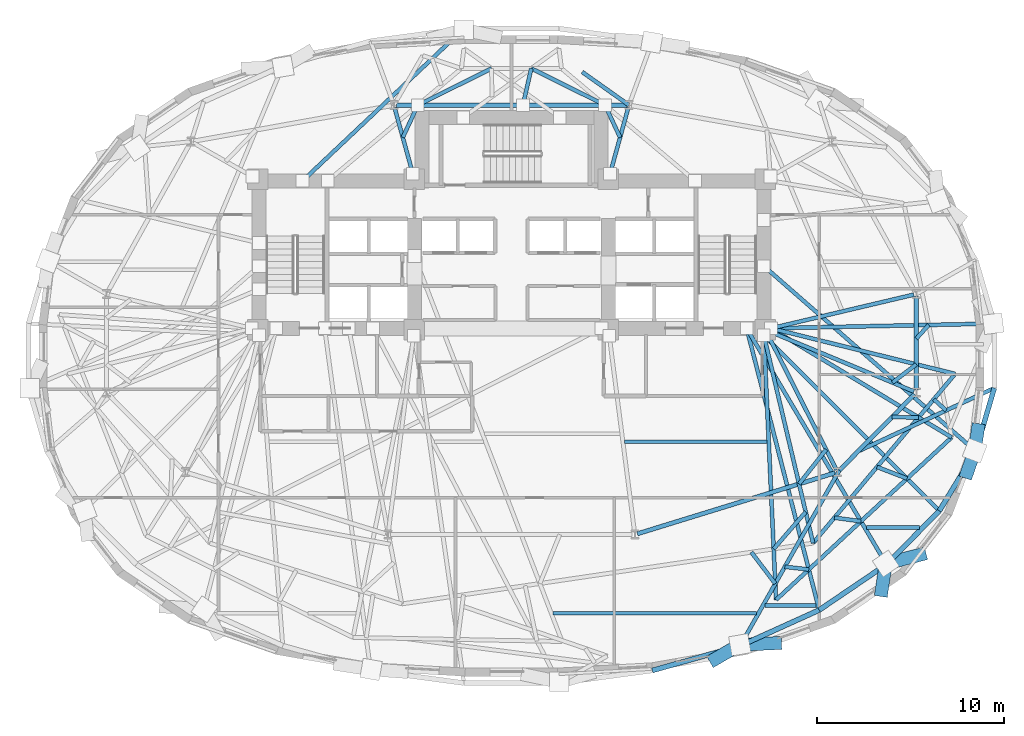
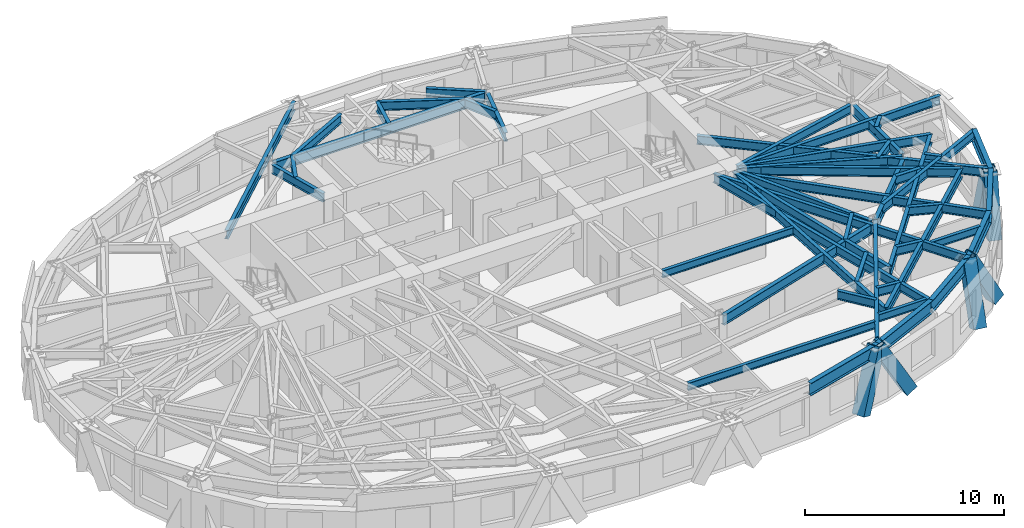
# One storey, part 3 of 13: 49 beams, 6 members.
"""IFC4 building model written with IfcOpenShell, lengths in metres."""

from ifc_helpers import new_model, si_unit, direction, frame, origin, origin_2d, place, context, subcontext, project, spatial, hollow_rectangle, i_section, extrude, material, material_profile, profile_set, type_object, element, save


model = new_model("IFC4")

# Units and contexts
model_context = context("Model", 3, precision=1e-05, world=origin(), true_north=direction((0.0, 1.0)))
body_context = subcontext(model_context, "Body", "Model", "MODEL_VIEW")
ifc_project = project(units=[si_unit("LENGTHUNIT", "METRE"), si_unit("AREAUNIT", "SQUARE_METRE"), si_unit("VOLUMEUNIT", "CUBIC_METRE"), si_unit("PLANEANGLEUNIT", "RADIAN"), si_unit("MASSUNIT", "GRAM", prefix="KILO")], contexts=[model_context])

# Site, building, storey
site_placement = place(None, origin())
site = spatial("IfcSite", under=ifc_project, at=site_placement, CompositionType="ELEMENT")
building_placement = place(site_placement, origin())
building = spatial("IfcBuilding", under=site, at=building_placement, Name="Keldmark Tower", CompositionType="ELEMENT")
storey_placement = place(building_placement, frame((0.0, 0.0, 131.60009765625)))
storey = spatial("IfcBuildingStorey", under=building, at=storey_placement, Name="L35", CompositionType="ELEMENT", Elevation=131.60009765625)

# Beams
ifc_material_1 = material(Name="Steel ASTM A992 Grade 50", Category="steel")
ifc_material_profile_1 = material_profile(ifc_material_1, i_section(OverallWidth=0.19091796875, OverallDepth=0.45703125, WebThickness=0.009033203125, FlangeThickness=0.014404296875, at=origin_2d()), Name="W18X50")
ifc_profile_set_1 = profile_set([ifc_material_profile_1], Name="Steel ASTM A992 Grade 50")
beam_type_1 = type_object("IfcBeamType", Name="Composite Floor Joist W18X50", PredefinedType="JOIST", material=ifc_profile_set_1)
beam_1_placement = place(storey_placement, frame((2.239501953125, -13.800048828125, 3.031494140625), z_axis=(1.0, 0.0, 0.0), x_axis=(0.0, 1.0, 0.0)))
element("IfcBeam", 1, at=beam_1_placement, inside=storey, type_object=beam_type_1, Name="L35 Composite Floor Joist J03", PredefinedType="JOIST", context=body_context, shape_type="SweptSolid", body=[
    extrude(i_section(OverallWidth=0.19091796875, OverallDepth=0.45703125, WebThickness=0.009033203125, FlangeThickness=0.014404296875, at=origin_2d()), origin(), (0.0, 0.0, 1.0), 10.88916015625),
])
beam_2_placement = place(storey_placement, frame((13.588134765625, -13.3798828125, 3.031494140625), z_axis=(1.0, 0.0, 0.0), x_axis=(0.0, 1.0, 0.0)))
element("IfcBeam", 2, at=beam_2_placement, inside=storey, type_object=beam_type_1, Name="L35 Composite Floor Joist J04", PredefinedType="JOIST", context=body_context, shape_type="SweptSolid", body=[
    extrude(i_section(OverallWidth=0.19091796875, OverallDepth=0.45703125, WebThickness=0.009033203125, FlangeThickness=0.014404296875, at=origin_2d()), origin(), (0.0, 0.0, 1.0), 2.744873046875),
])
beam_3_placement = place(storey_placement, frame((19.0390625, -9.199951171875, 3.031494140625), z_axis=(1.0, 0.0, 0.0), x_axis=(0.0, 1.0, 0.0)))
element("IfcBeam", 3, at=beam_3_placement, inside=storey, type_object=beam_type_1, Name="L35 Composite Floor Joist J05", PredefinedType="JOIST", context=body_context, shape_type="SweptSolid", body=[
    extrude(i_section(OverallWidth=0.19091796875, OverallDepth=0.45703125, WebThickness=0.009033203125, FlangeThickness=0.014404296875, at=origin_2d()), origin(), (0.0, 0.0, 1.0), 2.83203125),
])
beam_4_placement = place(storey_placement, frame((6.06884765625, -4.60009765625, 3.031494140625), z_axis=(1.0, 0.0, 0.0), x_axis=(0.0, 1.0, 0.0)))
element("IfcBeam", 4, at=beam_4_placement, inside=storey, type_object=beam_type_1, Name="L35 Composite Floor Joist J09", PredefinedType="JOIST", context=body_context, shape_type="SweptSolid", body=[
    extrude(i_section(OverallWidth=0.19091796875, OverallDepth=0.45703125, WebThickness=0.009033203125, FlangeThickness=0.014404296875, at=origin_2d()), origin(), (0.0, 0.0, 1.0), 7.62255859375),
])

# Members
ifc_material_2 = material(Name="Steel ASTM A572 Grade 50", Category="steel")
ifc_material_profile_2 = material_profile(ifc_material_2, hollow_rectangle(XDim=0.699951171875, YDim=0.699951171875, WallThickness=0.044921875, at=origin_2d()), Name="BOX700X700X45")
ifc_profile_set_2 = profile_set([ifc_material_profile_2], Name="Steel ASTM A572 Grade 50")
member_type = type_object("IfcMemberType", Name="Diagrid Zone 2 Brace BOX700X700X45", PredefinedType="BRACE", material=ifc_profile_set_2)
member_1_placement = place(storey_placement, frame((10.9140625, -16.244140625, -0.27001953125), z_axis=(0.354569543412, 0.203908521281, 0.912524933267), x_axis=(-0.49852814405, 0.866873514182, 0.0)))
element("IfcMember", 5, at=member_1_placement, inside=storey, type_object=member_type, Name="L35 Perimeter Diagrid Brace 13B", PredefinedType="BRACE", context=body_context, shape_type="SweptSolid", body=[
    extrude(hollow_rectangle(XDim=0.699951171875, YDim=0.699951171875, WallThickness=0.044921875, at=origin_2d()), origin(), (0.0, 0.0, 1.0), 3.73681640625),
])
member_2_placement = place(storey_placement, frame((14.16796875, -15.39697265625, -0.27001953125), z_axis=(-0.494360479109, -0.022832909116, 0.86895706163), x_axis=(0.046137576123, -0.998935095023, 0.0)))
element("IfcMember", 6, at=member_2_placement, inside=storey, type_object=member_type, Name="L35 Perimeter Diagrid Brace 14A", PredefinedType="BRACE", context=body_context, shape_type="SweptSolid", body=[
    extrude(hollow_rectangle(XDim=0.699951171875, YDim=0.699951171875, WallThickness=0.044921875, at=origin_2d()), origin(), (0.0, 0.0, 1.0), 3.924072265625),
])
member_3_placement = place(storey_placement, frame((19.839599609375, -12.574462890625, -0.27001953125), z_axis=(0.059501710363, 0.388999013546, 0.919314589204), x_axis=(-0.988502815253, 0.151202461081, 0.0)))
element("IfcMember", 7, at=member_3_placement, inside=storey, type_object=member_type, Name="L35 Perimeter Diagrid Brace 14B", PredefinedType="BRACE", context=body_context, shape_type="SweptSolid", body=[
    extrude(hollow_rectangle(XDim=0.699951171875, YDim=0.699951171875, WallThickness=0.044921875, at=origin_2d()), origin(), (0.0, 0.0, 1.0), 3.709228515625),
])
member_4_placement = place(storey_placement, frame((21.91748046875, -10.656494140625, -0.27001953125), z_axis=(-0.476278307764, -0.123417229338, 0.870590122306), x_axis=(0.250843447389, -0.968027667426, 0.0)))
element("IfcMember", 8, at=member_4_placement, inside=storey, type_object=member_type, Name="L35 Perimeter Diagrid Brace 15A", PredefinedType="BRACE", context=body_context, shape_type="SweptSolid", body=[
    extrude(hollow_rectangle(XDim=0.699951171875, YDim=0.699951171875, WallThickness=0.044921875, at=origin_2d()), origin(), (0.0, 0.0, 1.0), 3.916748046875),
])
member_5_placement = place(storey_placement, frame((24.4228515625, -6.2392578125, -0.27001953125), z_axis=(0.111684456383, 0.318270369969, 0.941398190885), x_axis=(-0.943590124458, 0.331115806063, 0.0)))
element("IfcMember", 9, at=member_5_placement, inside=storey, type_object=member_type, Name="L35 Perimeter Diagrid Brace 15B", PredefinedType="BRACE", context=body_context, shape_type="SweptSolid", body=[
    extrude(hollow_rectangle(XDim=0.699951171875, YDim=0.699951171875, WallThickness=0.044921875, at=origin_2d()), origin(), (0.0, 0.0, 1.0), 3.6220703125),
])
member_6_placement = place(storey_placement, frame((24.991455078125, -3.9619140625, -0.27001953125), z_axis=(-0.046820299466, -0.315595960606, 0.947737858908), x_axis=(0.989173752525, -0.146749062404, 0.0)))
element("IfcMember", 10, at=member_6_placement, inside=storey, type_object=member_type, Name="L35 Perimeter Diagrid Brace 16A", PredefinedType="BRACE", context=body_context, shape_type="SweptSolid", body=[
    extrude(hollow_rectangle(XDim=0.699951171875, YDim=0.699951171875, WallThickness=0.044921875, at=origin_2d()), origin(), (0.0, 0.0, 1.0), 3.597900390625),
])

# Beams
ifc_material_3 = material(Name="Steel ASTM A992 Grade 50", Category="steel")
ifc_material_profile_3 = material_profile(ifc_material_3, i_section(OverallWidth=0.22900390625, OverallDepth=0.612060546875, WebThickness=0.011962890625, FlangeThickness=0.01953125, at=origin_2d()), Name="W24X84")
ifc_profile_set_3 = profile_set([ifc_material_profile_3], Name="Steel ASTM A992 Grade 50")
beam_type_2 = type_object("IfcBeamType", Name="Primary Floor Girder W24X84", PredefinedType="BEAM", material=ifc_profile_set_3)
beam_5_placement = place(storey_placement, frame((6.15869140625, 13.4326171875, 2.953857421875), z_axis=(-1.0, 0.0, 0.0), x_axis=(0.0, -1.0, 0.0)))
element("IfcBeam", 11, at=beam_5_placement, inside=storey, type_object=beam_type_2, Name="L35 Floor Ring Girder FG-R03", PredefinedType="BEAM", context=body_context, shape_type="SweptSolid", body=[
    extrude(i_section(OverallWidth=0.22900390625, OverallDepth=0.612060546875, WebThickness=0.011962890625, FlangeThickness=0.01953125, at=origin_2d()), origin(), (0.0, 0.0, 1.0), 12.3173828125),
])
beam_6_placement = place(storey_placement, frame((6.74658203125, -9.5380859375, 2.953857421875), z_axis=(0.955607954968, 0.294641199432, 0.0), x_axis=(-0.294641199432, 0.955607954968, 0.0)))
element("IfcBeam", 12, at=beam_6_placement, inside=storey, type_object=beam_type_2, Name="L35 Floor Ring Girder FG-R10", PredefinedType="BEAM", context=body_context, shape_type="SweptSolid", body=[
    extrude(i_section(OverallWidth=0.22900390625, OverallDepth=0.612060546875, WebThickness=0.011962890625, FlangeThickness=0.01953125, at=origin_2d()), origin(), (0.0, 0.0, 1.0), 11.089111328125),
])
beam_7_placement = place(storey_placement, frame((17.57568359375, -6.130126953125, 2.953857421875), z_axis=(0.703425791323, 0.71076870788, 0.0), x_axis=(-0.71076870788, 0.703425791323, 0.0)))
element("IfcBeam", 13, at=beam_7_placement, inside=storey, type_object=beam_type_2, Name="L35 Floor Ring Girder FG-R11", PredefinedType="BEAM", context=body_context, shape_type="SweptSolid", body=[
    extrude(i_section(OverallWidth=0.22900390625, OverallDepth=0.612060546875, WebThickness=0.011962890625, FlangeThickness=0.01953125, at=origin_2d()), origin(), (0.0, 0.0, 1.0), 5.71875),
])
beam_8_placement = place(storey_placement, frame((21.697021484375, -1.825927734375, 2.953857421875), z_axis=(0.0, 1.0, 0.0), x_axis=(-1.0, 0.0, 0.0)))
element("IfcBeam", 14, at=beam_8_placement, inside=storey, type_object=beam_type_2, Name="L35 Floor Ring Girder FG-R12", PredefinedType="BEAM", context=body_context, shape_type="SweptSolid", body=[
    extrude(i_section(OverallWidth=0.22900390625, OverallDepth=0.612060546875, WebThickness=0.011962890625, FlangeThickness=0.01953125, at=origin_2d()), origin(), (0.0, 0.0, 1.0), 4.995849609375),
])
ifc_material_4 = material(Name="Steel ASTM A992 Grade 50", Category="steel")
ifc_material_profile_4 = material_profile(ifc_material_4, i_section(OverallWidth=0.2099609375, OverallDepth=0.537109375, WebThickness=0.010986328125, FlangeThickness=0.017333984375, at=origin_2d()), Name="W21X68")
ifc_profile_set_4 = profile_set([ifc_material_profile_4], Name="Steel ASTM A992 Grade 50")
beam_type_3 = type_object("IfcBeamType", Name="Radial Tie Girder W21X68", PredefinedType="BEAM", material=ifc_profile_set_4)
beam_9_placement = place(storey_placement, frame((21.560546875, 3.27783203125, 2.991455078125), z_axis=(-0.973283778272, -0.229605502879, 0.0), x_axis=(0.229605502879, -0.973283778272, 0.0)))
element("IfcBeam", 15, at=beam_9_placement, inside=storey, type_object=beam_type_3, Name="L35 Floor Radial Girder FG-C01", PredefinedType="BEAM", context=body_context, shape_type="SweptSolid", body=[
    extrude(i_section(OverallWidth=0.2099609375, OverallDepth=0.537109375, WebThickness=0.010986328125, FlangeThickness=0.017333984375, at=origin_2d()), origin(), (0.0, 0.0, 1.0), 7.85888671875),
])
for number, where, z_axis, x_axis, name in (
    (16, (6.26171875, 13.297607421875, 2.991455078125), (-0.265997186795, -0.963973804944, 0.0), (0.963973804944, -0.265997186795, 0.0), "L35 Floor Radial Girder FG-C03"),
    (17, (-6.26171875, 13.297607421875, 2.991455078125), (0.265997186795, -0.963973804944, 0.0), (0.963973804944, 0.265997186795, 0.0), "L35 Floor Radial Girder FG-C04"),
):
    element("IfcBeam", number, at=place(storey_placement, frame(where, z_axis=z_axis, x_axis=x_axis)), inside=storey, type_object=beam_type_3, Name=name, PredefinedType="BEAM", context=body_context, shape_type="SweptSolid", body=[
        extrude(i_section(OverallWidth=0.2099609375, OverallDepth=0.537109375, WebThickness=0.010986328125, FlangeThickness=0.017333984375, at=origin_2d()), origin(), (0.0, 0.0, 1.0), 3.67138671875),
    ])
beam_10_placement = place(storey_placement, frame((17.413818359375, -6.104736328125, 2.991455078125), z_axis=(-0.453028637759, 0.891495963743, 0.0), x_axis=(-0.891495963743, -0.453028637759, 0.0)))
element("IfcBeam", 18, at=beam_10_placement, inside=storey, type_object=beam_type_3, Name="L35 Floor Radial Girder FG-C11", PredefinedType="BEAM", context=body_context, shape_type="SweptSolid", body=[
    extrude(i_section(OverallWidth=0.2099609375, OverallDepth=0.537109375, WebThickness=0.010986328125, FlangeThickness=0.017333984375, at=origin_2d()), origin(), (0.0, 0.0, 1.0), 8.09814453125),
])
beam_11_placement = place(storey_placement, frame((21.567626953125, -1.912109375, 2.991455078125), z_axis=(-0.923397393633, 0.383845350932, 0.0), x_axis=(-0.383845350932, -0.923397393633, 0.0)))
element("IfcBeam", 19, at=beam_11_placement, inside=storey, type_object=beam_type_3, Name="L35 Floor Radial Girder FG-C12", PredefinedType="BEAM", context=body_context, shape_type="SweptSolid", body=[
    extrude(i_section(OverallWidth=0.2099609375, OverallDepth=0.537109375, WebThickness=0.010986328125, FlangeThickness=0.017333984375, at=origin_2d()), origin(), (0.0, 0.0, 1.0), 8.30859375),
])
for number, where, z_axis, x_axis, name in (
    (20, (5.822265625, 11.705078125, 2.991455078125), (-0.422871443538, 0.906189683367, 0.0), (-0.906189683367, -0.422871443538, 0.0), "L35 Framing Pin Header PH-001"),
    (21, (-5.822265625, 11.705078125, 2.991455078125), (0.422871443538, 0.906189683367, 0.0), (-0.906189683367, 0.422871443538, 0.0), "L35 Framing Pin Header PH-002"),
):
    element("IfcBeam", number, at=place(storey_placement, frame(where, z_axis=z_axis, x_axis=x_axis)), inside=storey, type_object=beam_type_3, Name=name, PredefinedType="BEAM", context=body_context, shape_type="SweptSolid", body=[
        extrude(i_section(OverallWidth=0.2099609375, OverallDepth=0.537109375, WebThickness=0.010986328125, FlangeThickness=0.017333984375, at=origin_2d()), origin(), (0.0, 0.0, 1.0), 1.906494140625),
    ])
beam_12_placement = place(storey_placement, frame((16.863525390625, -5.02197265625, 2.991455078125), z_axis=(-0.618317676543, -0.785928273365, 0.0), x_axis=(0.785928273365, -0.618317676543, 0.0)))
element("IfcBeam", 22, at=beam_12_placement, inside=storey, type_object=beam_type_3, Name="L35 Framing Pin Header PH-006", PredefinedType="BEAM", context=body_context, shape_type="SweptSolid", body=[
    extrude(i_section(OverallWidth=0.2099609375, OverallDepth=0.537109375, WebThickness=0.010986328125, FlangeThickness=0.017333984375, at=origin_2d()), origin(), (0.0, 0.0, 1.0), 2.3466796875),
])
beam_13_placement = place(storey_placement, frame((13.52490234375, 1.10009765625, 2.991455078125), z_axis=(0.230570573117, -0.973055605201, 0.0), x_axis=(0.973055605201, 0.230570573117, 0.0)))
element("IfcBeam", 23, at=beam_13_placement, inside=storey, type_object=beam_type_3, Name="L35 Sub-Ring Step Girder STP1-M11", PredefinedType="BEAM", context=body_context, shape_type="SweptSolid", body=[
    extrude(i_section(OverallWidth=0.2099609375, OverallDepth=0.537109375, WebThickness=0.010986328125, FlangeThickness=0.017333984375, at=origin_2d()), origin(), (0.0, 0.0, 1.0), 11.444091796875),
])
beam_14_placement = place(storey_placement, frame((20.416748046875, -1.433837890625, 2.991455078125), z_axis=(0.794658823742, 0.607056302042, 0.0), x_axis=(-0.607056302042, 0.794658823742, 0.0)))
element("IfcBeam", 24, at=beam_14_placement, inside=storey, type_object=beam_type_3, Name="L35 Framing Pin Header PH-007", PredefinedType="BEAM", context=body_context, shape_type="SweptSolid", body=[
    extrude(i_section(OverallWidth=0.2099609375, OverallDepth=0.537109375, WebThickness=0.010986328125, FlangeThickness=0.017333984375, at=origin_2d()), origin(), (0.0, 0.0, 1.0), 1.611083984375),
])
beam_15_placement = place(storey_placement, frame((13.89990234375, 1.47509765625, 2.991455078125), z_axis=(0.970676556141, -0.24038931623, 0.0), x_axis=(0.24038931623, 0.970676556141, 0.0)))
element("IfcBeam", 25, at=beam_15_placement, inside=storey, type_object=beam_type_3, Name="L35 Sub-Ring Step Girder STP1-M12", PredefinedType="BEAM", context=body_context, shape_type="SweptSolid", body=[
    extrude(i_section(OverallWidth=0.2099609375, OverallDepth=0.537109375, WebThickness=0.010986328125, FlangeThickness=0.017333984375, at=origin_2d()), origin(), (0.0, 0.0, 1.0), 10.17333984375),
])
beam_16_placement = place(storey_placement, frame((16.16357421875, -10.03564453125, 2.991455078125), z_axis=(0.643022287084, 0.76584746413, 0.0), x_axis=(-0.76584746413, 0.643022287084, 0.0)))
element("IfcBeam", 26, at=beam_16_placement, inside=storey, type_object=beam_type_3, Name="L35 Perimeter Collector Ring Beam CRG1-M11", PredefinedType="BEAM", context=body_context, shape_type="SweptSolid", body=[
    extrude(i_section(OverallWidth=0.2099609375, OverallDepth=0.537109375, WebThickness=0.010986328125, FlangeThickness=0.017333984375, at=origin_2d()), origin(), (0.0, 0.0, 1.0), 11.8369140625),
])
beam_17_placement = place(storey_placement, frame((15.767578125, -8.365234375, 2.991455078125), z_axis=(-0.654228245998, -0.756297165232, 0.0), x_axis=(0.756297165232, -0.654228245998, 0.0)))
element("IfcBeam", 27, at=beam_17_placement, inside=storey, type_object=beam_type_3, Name="L35 Framing Pin Header PH-013", PredefinedType="BEAM", context=body_context, shape_type="SweptSolid", body=[
    extrude(i_section(OverallWidth=0.2099609375, OverallDepth=0.537109375, WebThickness=0.010986328125, FlangeThickness=0.017333984375, at=origin_2d()), origin(), (0.0, 0.0, 1.0), 2.62158203125),
])
beam_18_placement = place(storey_placement, frame((13.52490234375, 1.10009765625, 2.991455078125), z_axis=(0.046032671476, -0.998939934709, 0.0), x_axis=(0.998939934709, 0.046032671476, 0.0)))
element("IfcBeam", 28, at=beam_18_placement, inside=storey, type_object=beam_type_3, Name="L35 Sub-Ring Step Girder STP2-M11", PredefinedType="BEAM", context=body_context, shape_type="SweptSolid", body=[
    extrude(i_section(OverallWidth=0.2099609375, OverallDepth=0.537109375, WebThickness=0.010986328125, FlangeThickness=0.017333984375, at=origin_2d()), origin(), (0.0, 0.0, 1.0), 14.192626953125),
])
beam_19_placement = place(storey_placement, frame((20.3916015625, -3.284912109375, 2.991455078125), z_axis=(0.999928147427, -0.011987492776, 0.0), x_axis=(0.011987492776, 0.999928147427, 0.0)))
element("IfcBeam", 29, at=beam_19_placement, inside=storey, type_object=beam_type_3, Name="L35 Framing Pin Header PH-014", PredefinedType="BEAM", context=body_context, shape_type="SweptSolid", body=[
    extrude(i_section(OverallWidth=0.2099609375, OverallDepth=0.537109375, WebThickness=0.010986328125, FlangeThickness=0.017333984375, at=origin_2d()), origin(), (0.0, 0.0, 1.0), 1.425537109375),
])
beam_20_placement = place(storey_placement, frame((13.89990234375, 1.47509765625, 2.991455078125), z_axis=(0.856210864436, -0.516626514634, 0.0), x_axis=(0.516626514634, 0.856210864436, 0.0)))
element("IfcBeam", 30, at=beam_20_placement, inside=storey, type_object=beam_type_3, Name="L35 Sub-Ring Step Girder STP2-M12", PredefinedType="BEAM", context=body_context, shape_type="SweptSolid", body=[
    extrude(i_section(OverallWidth=0.2099609375, OverallDepth=0.537109375, WebThickness=0.010986328125, FlangeThickness=0.017333984375, at=origin_2d()), origin(), (0.0, 0.0, 1.0), 11.314697265625),
])
beam_21_placement = place(storey_placement, frame((14.17822265625, -13.077392578125, 2.991455078125), z_axis=(0.733970557795, 0.679181286764, 0.0), x_axis=(-0.679181286764, 0.733970557795, 0.0)))
element("IfcBeam", 31, at=beam_21_placement, inside=storey, type_object=beam_type_3, Name="L35 Perimeter Collector Ring Beam CRG2-M11", PredefinedType="BEAM", context=body_context, shape_type="SweptSolid", body=[
    extrude(i_section(OverallWidth=0.2099609375, OverallDepth=0.537109375, WebThickness=0.010986328125, FlangeThickness=0.017333984375, at=origin_2d()), origin(), (0.0, 0.0, 1.0), 12.81982421875),
])
beam_22_placement = place(storey_placement, frame((21.697021484375, 0.921875, 2.991455078125), z_axis=(0.670945737359, 0.741506451435, 0.0), x_axis=(-0.741506451435, 0.670945737359, 0.0)))
element("IfcBeam", 32, at=beam_22_placement, inside=storey, type_object=beam_type_3, Name="L35 Framing Pin Header PH-015", PredefinedType="BEAM", context=body_context, shape_type="SweptSolid", body=[
    extrude(i_section(OverallWidth=0.2099609375, OverallDepth=0.537109375, WebThickness=0.010986328125, FlangeThickness=0.017333984375, at=origin_2d()), origin(), (0.0, 0.0, 1.0), 0.986083984375),
])
beam_23_placement = place(storey_placement, frame((13.89990234375, 1.47509765625, 2.991455078125), z_axis=(0.999778728785, 0.021035528718, 0.0), x_axis=(-0.021035528718, 0.999778728785, 0.0)))
element("IfcBeam", 33, at=beam_23_placement, inside=storey, type_object=beam_type_3, Name="L35 Perimeter Radial Tie Girder RT-01", PredefinedType="BEAM", context=body_context, shape_type="SweptSolid", body=[
    extrude(i_section(OverallWidth=0.2099609375, OverallDepth=0.537109375, WebThickness=0.010986328125, FlangeThickness=0.017333984375, at=origin_2d()), origin(), (0.0, 0.0, 1.0), 11.9775390625),
])
beam_24_placement = place(storey_placement, frame((0.615966796875, 13.4326171875, 2.991455078125), z_axis=(0.221364628025, 0.975191110224, 0.0), x_axis=(-0.975191110224, 0.221364628025, 0.0)))
element("IfcBeam", 34, at=beam_24_placement, inside=storey, type_object=beam_type_3, Name="L35 Framing Pin Header PH-017", PredefinedType="BEAM", context=body_context, shape_type="SweptSolid", body=[
    extrude(i_section(OverallWidth=0.2099609375, OverallDepth=0.537109375, WebThickness=0.010986328125, FlangeThickness=0.017333984375, at=origin_2d()), origin(), (0.0, 0.0, 1.0), 2.01611328125),
])
beam_25_placement = place(storey_placement, frame((12.857666015625, -10.5244140625, 2.991455078125), z_axis=(0.604767479819, -0.796402094016, 0.0), x_axis=(0.796402094016, 0.604767479819, 0.0)))
element("IfcBeam", 35, at=beam_25_placement, inside=storey, type_object=beam_type_3, Name="L35 Framing Pin Header PH-032", PredefinedType="BEAM", context=body_context, shape_type="SweptSolid", body=[
    extrude(i_section(OverallWidth=0.2099609375, OverallDepth=0.537109375, WebThickness=0.010986328125, FlangeThickness=0.017333984375, at=origin_2d()), origin(), (0.0, 0.0, 1.0), 2.117431640625),
])
beam_26_placement = place(storey_placement, frame((17.57568359375, -6.130126953125, 2.991455078125), z_axis=(-0.49212498374, -0.870524554725, 0.0), x_axis=(0.870524554725, -0.49212498374, 0.0)))
element("IfcBeam", 36, at=beam_26_placement, inside=storey, type_object=beam_type_3, Name="L35 Perimeter Radial Tie Girder RT-27", PredefinedType="BEAM", context=body_context, shape_type="SweptSolid", body=[
    extrude(i_section(OverallWidth=0.2099609375, OverallDepth=0.537109375, WebThickness=0.010986328125, FlangeThickness=0.017333984375, at=origin_2d()), origin(), (0.0, 0.0, 1.0), 10.808837890625),
])
beam_27_placement = place(storey_placement, frame((14.650146484375, -11.305419921875, 2.991455078125), z_axis=(0.99358791761, -0.113062150959, 0.0), x_axis=(0.113062150959, 0.99358791761, 0.0)))
element("IfcBeam", 37, at=beam_27_placement, inside=storey, type_object=beam_type_3, Name="L35 Framing Pin Header PH-033", PredefinedType="BEAM", context=body_context, shape_type="SweptSolid", body=[
    extrude(i_section(OverallWidth=0.2099609375, OverallDepth=0.537109375, WebThickness=0.010986328125, FlangeThickness=0.017333984375, at=origin_2d()), origin(), (0.0, 0.0, 1.0), 1.29345703125),
])
beam_28_placement = place(storey_placement, frame((12.603515625, 1.47509765625, 2.991455078125), z_axis=(0.249578654487, -0.968354529718, 0.0), x_axis=(0.968354529718, 0.249578654487, 0.0)))
element("IfcBeam", 38, at=beam_28_placement, inside=storey, type_object=beam_type_3, Name="L35 Perimeter Radial Tie Girder RT-28", PredefinedType="BEAM", context=body_context, shape_type="SweptSolid", body=[
    extrude(i_section(OverallWidth=0.2099609375, OverallDepth=0.537109375, WebThickness=0.010986328125, FlangeThickness=0.017333984375, at=origin_2d()), origin(), (0.0, 0.0, 1.0), 15.5888671875),
])
beam_29_placement = place(storey_placement, frame((17.30517578125, -8.67578125, 2.991455078125), z_axis=(0.991174384203, -0.132564475254, 0.0), x_axis=(0.132564475254, 0.991174384203, 0.0)))
element("IfcBeam", 39, at=beam_29_placement, inside=storey, type_object=beam_type_3, Name="L35 Framing Pin Header PH-034", PredefinedType="BEAM", context=body_context, shape_type="SweptSolid", body=[
    extrude(i_section(OverallWidth=0.2099609375, OverallDepth=0.537109375, WebThickness=0.010986328125, FlangeThickness=0.017333984375, at=origin_2d()), origin(), (0.0, 0.0, 1.0), 1.4365234375),
])
beam_30_placement = place(storey_placement, frame((12.603515625, 1.47509765625, 2.991455078125), z_axis=(0.509639015582, -0.860388327325, 0.0), x_axis=(0.860388327325, 0.509639015582, 0.0)))
element("IfcBeam", 40, at=beam_30_placement, inside=storey, type_object=beam_type_3, Name="L35 Perimeter Radial Tie Girder RT-29", PredefinedType="BEAM", context=body_context, shape_type="SweptSolid", body=[
    extrude(i_section(OverallWidth=0.2099609375, OverallDepth=0.537109375, WebThickness=0.010986328125, FlangeThickness=0.017333984375, at=origin_2d()), origin(), (0.0, 0.0, 1.0), 14.706298828125),
])
beam_31_placement = place(storey_placement, frame((19.588623046875, -5.956298828125, 2.991455078125), z_axis=(0.9331526031, -0.359480485322, 0.0), x_axis=(0.359480485322, 0.9331526031, 0.0)))
element("IfcBeam", 41, at=beam_31_placement, inside=storey, type_object=beam_type_3, Name="L35 Framing Pin Header PH-035", PredefinedType="BEAM", context=body_context, shape_type="SweptSolid", body=[
    extrude(i_section(OverallWidth=0.2099609375, OverallDepth=0.537109375, WebThickness=0.010986328125, FlangeThickness=0.017333984375, at=origin_2d()), origin(), (0.0, 0.0, 1.0), 1.72900390625),
])
beam_32_placement = place(storey_placement, frame((13.52490234375, 1.10009765625, 2.991455078125), z_axis=(0.707070071251, -0.707143489216, 0.0), x_axis=(0.707143489216, 0.707070071251, 0.0)))
element("IfcBeam", 42, at=beam_32_placement, inside=storey, type_object=beam_type_3, Name="L35 Perimeter Radial Tie Girder RT-30", PredefinedType="BEAM", context=body_context, shape_type="SweptSolid", body=[
    extrude(i_section(OverallWidth=0.2099609375, OverallDepth=0.537109375, WebThickness=0.010986328125, FlangeThickness=0.017333984375, at=origin_2d()), origin(), (0.0, 0.0, 1.0), 13.301513671875),
])
beam_33_placement = place(storey_placement, frame((13.52490234375, 4.80712890625, 2.991455078125), z_axis=(0.753041869605, -0.657972600206, 0.0), x_axis=(0.657972600206, 0.753041869605, 0.0)))
element("IfcBeam", 43, at=beam_33_placement, inside=storey, type_object=beam_type_3, Name="L35 Perimeter Radial Tie Girder RT-31", PredefinedType="BEAM", context=body_context, shape_type="SweptSolid", body=[
    extrude(i_section(OverallWidth=0.2099609375, OverallDepth=0.537109375, WebThickness=0.010986328125, FlangeThickness=0.017333984375, at=origin_2d()), origin(), (0.0, 0.0, 1.0), 15.079345703125),
])
beam_34_placement = place(storey_placement, frame((22.633056640625, -2.330078125, 2.991455078125), z_axis=(0.742159914027, -0.670222845039, 0.0), x_axis=(0.670222845039, 0.742159914027, 0.0)))
element("IfcBeam", 44, at=beam_34_placement, inside=storey, type_object=beam_type_3, Name="L35 Framing Pin Header PH-037", PredefinedType="BEAM", context=body_context, shape_type="SweptSolid", body=[
    extrude(i_section(OverallWidth=0.2099609375, OverallDepth=0.537109375, WebThickness=0.010986328125, FlangeThickness=0.017333984375, at=origin_2d()), origin(), (0.0, 0.0, 1.0), 0.88916015625),
])
beam_35_placement = place(storey_placement, frame((18.58154296875, -5.114013671875, 2.991455078125), z_axis=(0.906969618934, 0.421196047383, 0.0), x_axis=(-0.421196047383, 0.906969618934, 0.0)))
element("IfcBeam", 45, at=beam_35_placement, inside=storey, type_object=beam_type_3, Name="L35 Perimeter Radial Tie Girder RT-32", PredefinedType="BEAM", context=body_context, shape_type="SweptSolid", body=[
    extrude(i_section(OverallWidth=0.2099609375, OverallDepth=0.537109375, WebThickness=0.010986328125, FlangeThickness=0.017333984375, at=origin_2d()), origin(), (0.0, 0.0, 1.0), 8.041259765625),
])
beam_36_placement = place(storey_placement, frame((5.01611328125, 13.4326171875, 2.991455078125), z_axis=(-0.895409173655, 0.445244215835, 0.0), x_axis=(-0.445244215835, -0.895409173655, 0.0)))
element("IfcBeam", 46, at=beam_36_placement, inside=storey, type_object=beam_type_3, Name="L35 Straddling Support Chord RT-08RB", PredefinedType="BEAM", context=body_context, shape_type="SweptSolid", body=[
    extrude(i_section(OverallWidth=0.2099609375, OverallDepth=0.537109375, WebThickness=0.010986328125, FlangeThickness=0.017333984375, at=origin_2d()), origin(), (0.0, 0.0, 1.0), 4.415771484375),
])
beam_37_placement = place(storey_placement, frame((6.298828125, 13.4326171875, 2.991455078125), z_axis=(-0.815657187532, 0.578535523912, 0.0), x_axis=(-0.578535523912, -0.815657187532, 0.0)))
element("IfcBeam", 47, at=beam_37_placement, inside=storey, type_object=beam_type_3, Name="L35 Column Step Bracket RT-08RS", PredefinedType="BEAM", context=body_context, shape_type="SweptSolid", body=[
    extrude(i_section(OverallWidth=0.2099609375, OverallDepth=0.537109375, WebThickness=0.010986328125, FlangeThickness=0.017333984375, at=origin_2d()), origin(), (0.0, 0.0, 1.0), 3.0712890625),
])
beam_38_placement = place(storey_placement, frame((-1.062255859375, 15.398681640625, 2.991455078125), z_axis=(-0.895409173655, -0.445244215835, 0.0), x_axis=(0.445244215835, -0.895409173655, 0.0)))
element("IfcBeam", 48, at=beam_38_placement, inside=storey, type_object=beam_type_3, Name="L35 Straddling Support Chord RT-09RB", PredefinedType="BEAM", context=body_context, shape_type="SweptSolid", body=[
    extrude(i_section(OverallWidth=0.2099609375, OverallDepth=0.537109375, WebThickness=0.010986328125, FlangeThickness=0.017333984375, at=origin_2d()), origin(), (0.0, 0.0, 1.0), 4.415771484375),
])
beam_39_placement = place(storey_placement, frame((-11.19287109375, 9.375, 2.991455078125), z_axis=(0.727186272981, 0.686440182673, 0.0), x_axis=(-0.686440182673, 0.727186272981, 0.0)))
element("IfcBeam", 49, at=beam_39_placement, inside=storey, type_object=beam_type_3, Name="L35 Perimeter Radial Tie Girder RT-09R", PredefinedType="BEAM", context=body_context, shape_type="SweptSolid", body=[
    extrude(i_section(OverallWidth=0.2099609375, OverallDepth=0.537109375, WebThickness=0.010986328125, FlangeThickness=0.017333984375, at=origin_2d()), origin(), (0.0, 0.0, 1.0), 11.8876953125),
])
ifc_material_5 = material(Name="Steel ASTM A992 Grade 50", Category="steel")
ifc_material_profile_5 = material_profile(ifc_material_5, i_section(OverallWidth=0.26806640625, OverallDepth=0.77001953125, WebThickness=0.015625, FlangeThickness=0.025390625, at=origin_2d()), Name="W30X132")
ifc_profile_set_5 = profile_set([ifc_material_profile_5], Name="Steel ASTM A992 Grade 50")
beam_type_4 = type_object("IfcBeamType", Name="Spandrel Ring Beam W30X132", PredefinedType="SPANDREL", material=ifc_profile_set_5)
beam_40_placement = place(storey_placement, frame((7.54736328125, -16.861328125, 2.875), z_axis=(0.962790668442, 0.270248272446, 0.0), x_axis=(-0.270248272446, 0.962790668442, 0.0)))
element("IfcBeam", 50, at=beam_40_placement, inside=storey, type_object=beam_type_4, Name="L35 Perimeter Spandrel Ring Beam SRB-26", PredefinedType="SPANDREL", context=body_context, shape_type="SweptSolid", body=[
    extrude(i_section(OverallWidth=0.26806640625, OverallDepth=0.77001953125, WebThickness=0.015625, FlangeThickness=0.025390625, at=origin_2d()), origin(), (0.0, 0.0, 1.0), 4.890869140625),
])
beam_41_placement = place(storey_placement, frame((12.25634765625, -15.53955078125, 2.875), z_axis=(0.910938924115, 0.412541242221, 0.0), x_axis=(-0.412541242221, 0.910938924115, 0.0)))
element("IfcBeam", 51, at=beam_41_placement, inside=storey, type_object=beam_type_4, Name="L35 Perimeter Spandrel Ring Beam SRB-27", PredefinedType="SPANDREL", context=body_context, shape_type="SweptSolid", body=[
    extrude(i_section(OverallWidth=0.26806640625, OverallDepth=0.77001953125, WebThickness=0.015625, FlangeThickness=0.025390625, at=origin_2d()), origin(), (0.0, 0.0, 1.0), 4.652099609375),
])
beam_42_placement = place(storey_placement, frame((16.494140625, -13.620361328125, 2.875), z_axis=(0.827833848723, 0.560973367379, 0.0), x_axis=(-0.560973367379, 0.827833848723, 0.0)))
element("IfcBeam", 52, at=beam_42_placement, inside=storey, type_object=beam_type_4, Name="L35 Perimeter Spandrel Ring Beam SRB-28", PredefinedType="SPANDREL", context=body_context, shape_type="SweptSolid", body=[
    extrude(i_section(OverallWidth=0.26806640625, OverallDepth=0.77001953125, WebThickness=0.015625, FlangeThickness=0.025390625, at=origin_2d()), origin(), (0.0, 0.0, 1.0), 4.353759765625),
])
beam_43_placement = place(storey_placement, frame((20.098388671875, -11.177978515625, 2.875), z_axis=(0.702064671311, 0.712113191352, 0.0), x_axis=(-0.712113191352, 0.702064671311, 0.0)))
element("IfcBeam", 53, at=beam_43_placement, inside=storey, type_object=beam_type_4, Name="L35 Perimeter Spandrel Ring Beam SRB-29", PredefinedType="SPANDREL", context=body_context, shape_type="SweptSolid", body=[
    extrude(i_section(OverallWidth=0.26806640625, OverallDepth=0.77001953125, WebThickness=0.015625, FlangeThickness=0.025390625, at=origin_2d()), origin(), (0.0, 0.0, 1.0), 4.033203125),
])
beam_44_placement = place(storey_placement, frame((22.929931640625, -8.305908203125, 2.875), z_axis=(0.521505457928, 0.853247945999, 0.0), x_axis=(-0.853247945999, 0.521505457928, 0.0)))
element("IfcBeam", 54, at=beam_44_placement, inside=storey, type_object=beam_type_4, Name="L35 Perimeter Spandrel Ring Beam SRB-30", PredefinedType="SPANDREL", context=body_context, shape_type="SweptSolid", body=[
    extrude(i_section(OverallWidth=0.26806640625, OverallDepth=0.77001953125, WebThickness=0.015625, FlangeThickness=0.025390625, at=origin_2d()), origin(), (0.0, 0.0, 1.0), 3.739990234375),
])
beam_45_placement = place(storey_placement, frame((24.88037109375, -5.11474609375, 2.875), z_axis=(0.281645899487, 0.959518414259, 0.0), x_axis=(-0.959518414259, 0.281645899487, 0.0)))
element("IfcBeam", 55, at=beam_45_placement, inside=storey, type_object=beam_type_4, Name="L35 Perimeter Spandrel Ring Beam SRB-31", PredefinedType="SPANDREL", context=body_context, shape_type="SweptSolid", body=[
    extrude(i_section(OverallWidth=0.26806640625, OverallDepth=0.77001953125, WebThickness=0.015625, FlangeThickness=0.025390625, at=origin_2d()), origin(), (0.0, 0.0, 1.0), 3.530517578125),
])

save(model, "model.ifc")
